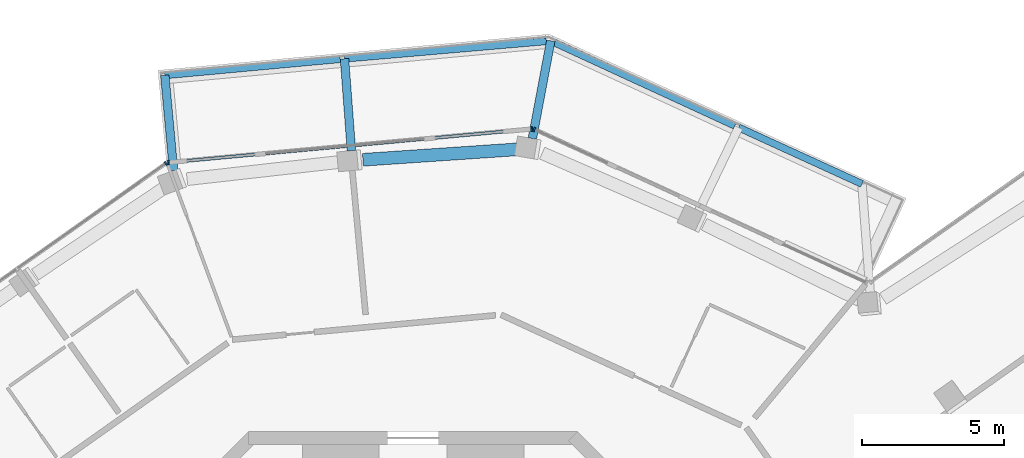
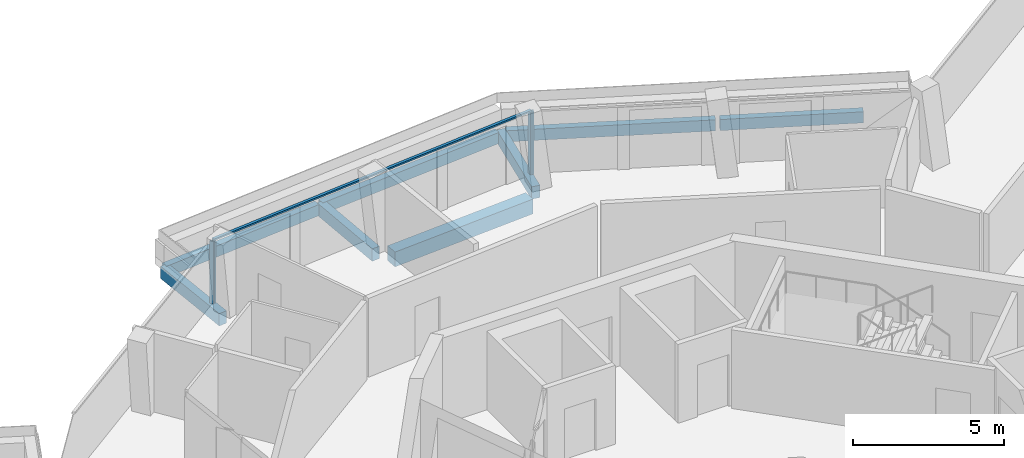
# One storey, part 10 of 25: 8 beams, 5 members, 3 elements without a shape of their own.
"""IFC4 building model written with IfcOpenShell, lengths in metres."""

from ifc_helpers import new_model, si_unit, direction, frame, origin, origin_2d, place, context, subcontext, project, spatial, rectangle, extrude, material, layer, layer_set, material_profile, profile_set, type_object, element, aggregate, save


model = new_model("IFC4")

# Units and contexts
model_context = context("Model", 3, precision=1e-05, world=origin(), true_north=direction((0.0, 1.0)))
body_context = subcontext(model_context, "Body", "Model", "MODEL_VIEW")
ifc_project = project(units=[si_unit("LENGTHUNIT", "METRE"), si_unit("AREAUNIT", "SQUARE_METRE"), si_unit("VOLUMEUNIT", "CUBIC_METRE"), si_unit("PLANEANGLEUNIT", "RADIAN"), si_unit("MASSUNIT", "GRAM", prefix="KILO")], contexts=[model_context])

# Site, building, storey
site_placement = place(None, origin())
site = spatial("IfcSite", under=ifc_project, at=site_placement, CompositionType="ELEMENT")
building_placement = place(site_placement, origin())
building = spatial("IfcBuilding", under=site, at=building_placement, Name="Verdalira Terraces Hotel", CompositionType="ELEMENT")
storey_placement = place(building_placement, frame((0.0, 0.0, 299.5)))
storey = spatial("IfcBuildingStorey", under=building, at=storey_placement, Name="L74", CompositionType="ELEMENT", Elevation=299.5)

# Beams
ifc_material_1 = material(Name="Concrete C40", Category="concrete")
ifc_material_profile_1 = material_profile(ifc_material_1, rectangle(XDim=0.300049, YDim=0.5, at=origin_2d()), Name="RC 300X500")
ifc_profile_set_1 = profile_set([ifc_material_profile_1], Name="Concrete C40")
beam_type_1 = type_object("IfcBeamType", Name="Balcony cantilever beam RC 300X500 C40", PredefinedType="BEAM", material=ifc_profile_set_1)
beam_1_placement = place(storey_placement, frame((4.203369, 24.337402, -0.560059), z_axis=(0.185331694, 0.982676021, 0.0), x_axis=(-0.982676021, 0.185331694, 0.0)))
element("IfcBeam", 1, at=beam_1_placement, inside=storey, type_object=beam_type_1, Name="Balcony cantilever beam R39-3", PredefinedType="BEAM", context=body_context, shape_type="SweptSolid", body=[
    extrude(rectangle(XDim=0.300049, YDim=0.5, at=origin_2d()), origin(), (0.0, 0.0, 1.0), 3.50415),
])
beam_2_placement = place(storey_placement, frame((-2.17627, 23.90918, -0.560059), z_axis=(-0.075323889, 0.997159121, 0.0), x_axis=(-0.997159121, -0.075323889, 0.0)))
element("IfcBeam", 2, at=beam_2_placement, inside=storey, type_object=beam_type_1, Name="Balcony cantilever beam R39-4", PredefinedType="BEAM", context=body_context, shape_type="SweptSolid", body=[
    extrude(rectangle(XDim=0.300049, YDim=0.5, at=origin_2d()), origin(), (0.0, 0.0, 1.0), 3.250977),
])
beam_3_placement = place(storey_placement, frame((-8.446045, 23.20752, -0.560059), z_axis=(-0.092024058, 0.995756784, 0.0), x_axis=(-0.995756784, -0.092024058, 0.0)))
element("IfcBeam", 3, at=beam_3_placement, inside=storey, type_object=beam_type_1, Name="Balcony cantilever beam R39-5", PredefinedType="BEAM", context=body_context, shape_type="SweptSolid", body=[
    extrude(rectangle(XDim=0.300049, YDim=0.5, at=origin_2d()), origin(), (0.0, 0.0, 1.0), 3.37207),
])
ifc_material_2 = material(Name="Concrete C40", Category="concrete")
ifc_material_profile_2 = material_profile(ifc_material_2, rectangle(XDim=0.25, YDim=0.449951, at=origin_2d()), Name="RC 250X450")
ifc_profile_set_2 = profile_set([ifc_material_profile_2], Name="Concrete C40")
beam_type_2 = type_object("IfcBeamType", Name="Balcony edge beam RC 250X450 C40", PredefinedType="BEAM", material=ifc_profile_set_2)
beam_4_placement = place(storey_placement, frame((15.824707, 22.735352, -0.534912), z_axis=(-0.909340328, 0.416053082, 0.0), x_axis=(-0.416053082, -0.909340328, 0.0)))
element("IfcBeam", 4, at=beam_4_placement, inside=storey, type_object=beam_type_2, Name="Balcony edge beam R39-1", PredefinedType="BEAM", context=body_context, shape_type="SweptSolid", body=[
    extrude(rectangle(XDim=0.25, YDim=0.449951, at=origin_2d()), origin(), (0.0, 0.0, 1.0), 4.779541),
])
beam_5_placement = place(storey_placement, frame((11.342285, 24.786621, -0.534912), z_axis=(-0.908009452, 0.418949681, 0.0), x_axis=(-0.418949681, -0.908009452, 0.0)))
element("IfcBeam", 5, at=beam_5_placement, inside=storey, type_object=beam_type_2, Name="Balcony edge beam R39-2", PredefinedType="BEAM", context=body_context, shape_type="SweptSolid", body=[
    extrude(rectangle(XDim=0.25, YDim=0.449951, at=origin_2d()), origin(), (0.0, 0.0, 1.0), 6.992432),
])
beam_6_placement = place(storey_placement, frame((4.69751, 27.767334, -0.534912), z_axis=(-0.996271423, -0.086274276, 0.0), x_axis=(0.086274276, -0.996271423, 0.0)))
element("IfcBeam", 6, at=beam_6_placement, inside=storey, type_object=beam_type_2, Name="Balcony edge beam R39-3", PredefinedType="BEAM", context=body_context, shape_type="SweptSolid", body=[
    extrude(rectangle(XDim=0.25, YDim=0.449951, at=origin_2d()), origin(), (0.0, 0.0, 1.0), 7.145264),
])
beam_7_placement = place(storey_placement, frame((-2.570557, 27.136963, -0.534912), z_axis=(-0.995755161, -0.092041622, 0.0), x_axis=(0.092041622, -0.995755161, 0.0)))
element("IfcBeam", 7, at=beam_7_placement, inside=storey, type_object=beam_type_2, Name="Balcony edge beam R39-4", PredefinedType="BEAM", context=body_context, shape_type="SweptSolid", body=[
    extrude(rectangle(XDim=0.25, YDim=0.449951, at=origin_2d()), origin(), (0.0, 0.0, 1.0), 6.212158),
])

# Curtain wall, member
ifc_material_3 = material(Name="Clear glass", Category="glass")
ifc_layer = layer(ifc_material_3, 0.14990234375)
ifc_layer_set = layer_set([ifc_layer], Name="CW1 curtain wall")
curtain_wall_type = type_object("IfcCurtainWallType", Name="CW1 curtain wall", PredefinedType="NOTDEFINED", material=ifc_layer_set)
curtain_wall_1_placement = place(storey_placement, origin())
curtain_wall_1 = element("IfcCurtainWall", 8, at=curtain_wall_1_placement, inside=storey, type_object=curtain_wall_type, Name="CW1 curtain wall L74 edge 39", PredefinedType="NOTDEFINED")
ifc_material_4 = material(Name="Terracotta frame", Category="masonry")
ifc_material_profile_3 = material_profile(ifc_material_4, rectangle(XDim=0.060059, YDim=0.149902, at=origin_2d()), Name="MU 60x150")
ifc_profile_set_3 = profile_set([ifc_material_profile_3], Name="Terracotta frame")
member_type_1 = type_object("IfcMemberType", Name="CW1 mullion 60x150", PredefinedType="MULLION", material=ifc_profile_set_3)
member_1_placement = place(storey_placement, frame((4.272461, 24.656006, 0.0), z_axis=(0.0, 0.0, 1.0), x_axis=(-0.908362259, 0.418184178, 0.0)))
member_1 = element("IfcMember", 9, at=member_1_placement, type_object=member_type_1, Name="CW1 mullion", PredefinedType="MULLION", context=body_context, shape_type="SweptSolid", body=[
    extrude(rectangle(XDim=0.060059, YDim=0.149902, at=origin_2d()), origin(), (0.0, 0.0, 1.0), 2.524902),
])
aggregate(curtain_wall_1, [member_1])

# Curtain wall, members
curtain_wall_2_placement = place(storey_placement, origin())
curtain_wall_2 = element("IfcCurtainWall", 10, at=curtain_wall_2_placement, inside=storey, type_object=curtain_wall_type, Name="CW1 curtain wall L74 edge 40", PredefinedType="NOTDEFINED")
member_2_placement = place(storey_placement, frame((4.177002, 24.672363, 0.0), z_axis=(0.0, 0.0, 1.0), x_axis=(-0.995756881, -0.092023008, 0.0)))
member_2 = element("IfcMember", 11, at=member_2_placement, type_object=member_type_1, Name="CW1 mullion", PredefinedType="MULLION", context=body_context, shape_type="SweptSolid", body=[
    extrude(rectangle(XDim=0.060059, YDim=0.149902, at=origin_2d()), origin(), (0.0, 0.0, 1.0), 2.524902),
])
member_3_placement = place(storey_placement, frame((-8.62793, 23.489014, 0.0), z_axis=(0.0, 0.0, 1.0), x_axis=(-0.995756881, -0.092023008, 0.0)))
member_3 = element("IfcMember", 12, at=member_3_placement, type_object=member_type_1, Name="CW1 mullion", PredefinedType="MULLION", context=body_context, shape_type="SweptSolid", body=[
    extrude(rectangle(XDim=0.060059, YDim=0.149902, at=origin_2d()), origin(), (0.0, 0.0, 1.0), 2.524902),
])

# Curtain wall, member
curtain_wall_3_placement = place(storey_placement, origin())
curtain_wall_3 = element("IfcCurtainWall", 13, at=curtain_wall_3_placement, inside=storey, type_object=curtain_wall_type, Name="CW1 curtain wall L74 edge 41", PredefinedType="NOTDEFINED")
member_4_placement = place(storey_placement, frame((-8.71875, 23.455566, 0.0), z_axis=(0.0, 0.0, 1.0), x_axis=(-0.816339251, -0.577572703, 0.0)))
member_4 = element("IfcMember", 14, at=member_4_placement, type_object=member_type_1, Name="CW1 mullion", PredefinedType="MULLION", context=body_context, shape_type="SweptSolid", body=[
    extrude(rectangle(XDim=0.060059, YDim=0.149902, at=origin_2d()), origin(), (0.0, 0.0, 1.0), 2.524902),
])
aggregate(curtain_wall_3, [member_4])

# Member
ifc_material_5 = material(Name="Terracotta frame", Category="masonry")
ifc_material_profile_4 = material_profile(ifc_material_5, rectangle(XDim=0.110107, YDim=0.064941, at=origin_2d()), Name="TR 65x110")
ifc_profile_set_4 = profile_set([ifc_material_profile_4], Name="Terracotta frame")
member_type_2 = type_object("IfcMemberType", Name="CW1 transom 65x110", PredefinedType="USERDEFINED", material=ifc_profile_set_4)
member_5_placement = place(storey_placement, frame((4.207031, 24.675049, 2.557617), z_axis=(-0.995758133, -0.092009457, 0.0), x_axis=(0.092009457, -0.995758133, 0.0)))
member_5 = element("IfcMember", 15, at=member_5_placement, type_object=member_type_2, Name="CW1 transom", ObjectType="TRANSOM", PredefinedType="USERDEFINED", context=body_context, shape_type="SweptSolid", body=[
    extrude(rectangle(XDim=0.110107, YDim=0.064941, at=origin_2d()), origin(), (0.0, 0.0, 1.0), 12.919434),
])

aggregate(curtain_wall_2, [member_2, member_3, member_5])

# Beam
ifc_material_6 = material(Name="Concrete C40", Category="concrete")
ifc_material_profile_5 = material_profile(ifc_material_6, rectangle(XDim=0.449951, YDim=0.600098, at=origin_2d()), Name="RC 450X600")
ifc_profile_set_5 = profile_set([ifc_material_profile_5], Name="Concrete C40")
beam_type_3 = type_object("IfcBeamType", Name="Spandrel beam RC 450X600 C40", PredefinedType="SPANDREL", material=ifc_profile_set_5)
beam_8_placement = place(storey_placement, frame((3.739502, 23.959717, -0.610107), z_axis=(-0.997711016, -0.067621948, 0.0), x_axis=(0.067621948, -0.997711016, 0.0)))
element("IfcBeam", 16, at=beam_8_placement, inside=storey, type_object=beam_type_3, Name="Spandrel beam B26", PredefinedType="SPANDREL", context=body_context, shape_type="SweptSolid", body=[
    extrude(rectangle(XDim=0.449951, YDim=0.600098, at=origin_2d()), origin(), (0.0, 0.0, 1.0), 5.523926),
])

save(model, "model.ifc")
